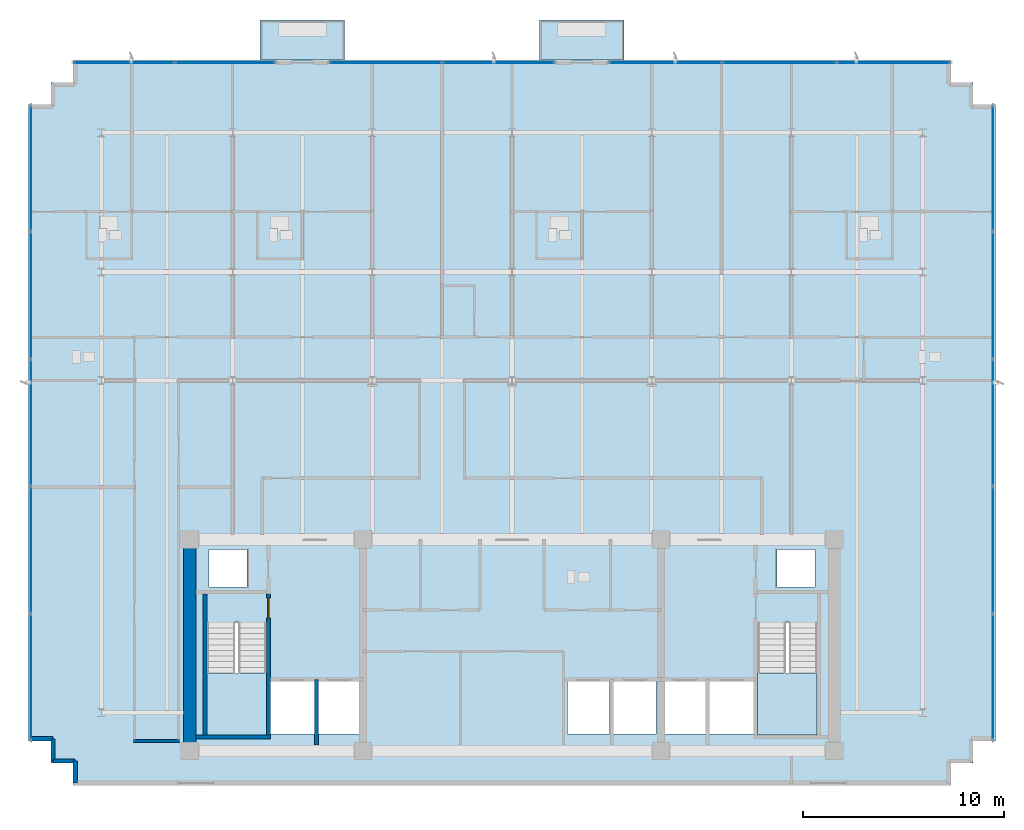
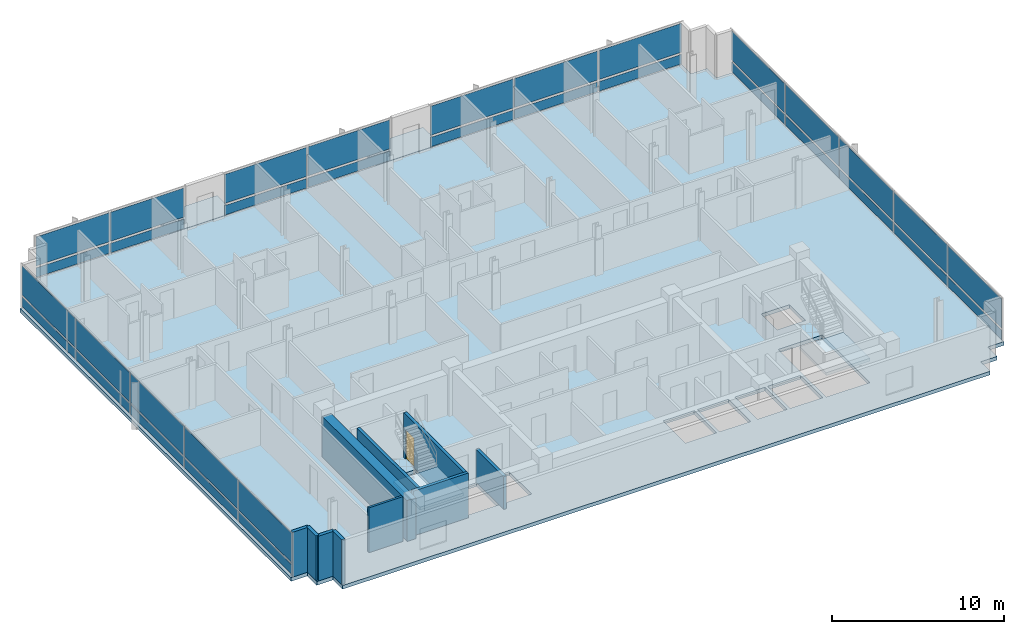
# One storey, part 7 of 15: 34 plates, 10 walls, 5 slabs, 1 door, 1 opening, 7 elements without a shape of their own.
"""IFC4 building model written with IfcOpenShell, lengths in metres."""

from ifc_helpers import new_model, si_unit, direction, frame, frame_2d, origin, origin_2d, place, context, subcontext, project, spatial, polyline, rectangle, outline, extrude, material, layer, layer_set, type_object, element, fill, aggregate, save


model = new_model("IFC4")

# Units and contexts
model_context = context("Model", 3, precision=1e-05, world=origin(), true_north=direction((0.0, 1.0)))
body_context = subcontext(model_context, "Body", "Model", "MODEL_VIEW")
ifc_project = project(units=[si_unit("LENGTHUNIT", "METRE"), si_unit("AREAUNIT", "SQUARE_METRE"), si_unit("VOLUMEUNIT", "CUBIC_METRE"), si_unit("PLANEANGLEUNIT", "RADIAN"), si_unit("MASSUNIT", "GRAM", prefix="KILO")], contexts=[model_context])

# Site, building, storey
site_placement = place(None, origin())
site = spatial("IfcSite", under=ifc_project, at=site_placement, CompositionType="ELEMENT")
building_placement = place(site_placement, origin())
building = spatial("IfcBuilding", under=site, at=building_placement, Name="Solmavex Isthmus Hotel", CompositionType="ELEMENT")
storey_placement = place(building_placement, frame((0.0, 0.0, 259.199951171875)))
storey = spatial("IfcBuildingStorey", under=building, at=storey_placement, Name="L70", CompositionType="ELEMENT", Elevation=259.199951171875)

# Curtain wall, plates
ifc_material_1 = material(Name="Aluminium alloy 6063-T6", Category="aluminium")
curtain_wall_type = type_object("IfcCurtainWallType", Name="CW-SYS-04", PredefinedType="NOTDEFINED", material=ifc_material_1)
curtain_wall_1_placement = place(storey_placement, origin())
curtain_wall_1 = element("IfcCurtainWall", 1, at=curtain_wall_1_placement, inside=storey, type_object=curtain_wall_type, Name="Stick Curtain Wall CWL-L70-N1", PredefinedType="NOTDEFINED")
ifc_material_2 = material(Name="Clear low-E laminated glass", Category="glass")
ifc_layer_1 = layer(ifc_material_2, 0.033935546875)
ifc_layer_set_1 = layer_set([ifc_layer_1], Name="Clear low-E laminated glass")
plate_type = type_object("IfcPlateType", Name="CW-SYS-04-PNL", PredefinedType="CURTAIN_PANEL", material=ifc_layer_set_1)
plate_1_placement = place(storey_placement, frame((-19.25732421875, 21.179931640625, 0.14990234375), z_axis=(0.0, 0.0, 1.0), x_axis=(1.0, 0.0, 0.0)))
plate_1 = element("IfcPlate", 2, at=plate_1_placement, type_object=plate_type, Name="CW-04 panel 1.1", PredefinedType="CURTAIN_PANEL", context=body_context, shape_type="SweptSolid", body=[
    extrude(rectangle(XDim=4.935546875, YDim=0.033935546875, at=origin_2d()), origin(), (0.0, 0.0, 1.0), 0.675048828125),
])
plate_2_placement = place(storey_placement, frame((-19.25732421875, 21.179931640625, 0.97509765625), z_axis=(0.0, 0.0, 1.0), x_axis=(1.0, 0.0, 0.0)))
plate_2 = element("IfcPlate", 3, at=plate_2_placement, type_object=plate_type, Name="CW-04 panel 1.2", PredefinedType="CURTAIN_PANEL", context=body_context, shape_type="SweptSolid", body=[
    extrude(rectangle(XDim=4.935546875, YDim=0.033935546875, at=origin_2d()), origin(), (0.0, 0.0, 1.0), 2.06494140625),
])
plate_3_placement = place(storey_placement, frame((-14.246826171875, 21.179931640625, 0.14990234375), z_axis=(0.0, 0.0, 1.0), x_axis=(1.0, 0.0, 0.0)))
plate_3 = element("IfcPlate", 4, at=plate_3_placement, type_object=plate_type, Name="CW-04 panel 2.1", PredefinedType="CURTAIN_PANEL", context=body_context, shape_type="SweptSolid", body=[
    extrude(rectangle(XDim=4.935546875, YDim=0.033935546875, at=origin_2d()), origin(), (0.0, 0.0, 1.0), 0.675048828125),
])
plate_4_placement = place(storey_placement, frame((-14.246826171875, 21.179931640625, 0.97509765625), z_axis=(0.0, 0.0, 1.0), x_axis=(1.0, 0.0, 0.0)))
plate_4 = element("IfcPlate", 5, at=plate_4_placement, type_object=plate_type, Name="CW-04 panel 2.2", PredefinedType="CURTAIN_PANEL", context=body_context, shape_type="SweptSolid", body=[
    extrude(rectangle(XDim=4.935546875, YDim=0.033935546875, at=origin_2d()), origin(), (0.0, 0.0, 1.0), 2.06494140625),
])
aggregate(curtain_wall_1, [plate_1, plate_2, plate_3, plate_4])

curtain_wall_2_placement = place(storey_placement, origin())
curtain_wall_2 = element("IfcCurtainWall", 6, at=curtain_wall_2_placement, inside=storey, type_object=curtain_wall_type, Name="Stick Curtain Wall CWL-L70-N2", PredefinedType="NOTDEFINED")
plate_5_placement = place(storey_placement, frame((-6.267333984375, 21.179931640625, 0.14990234375), z_axis=(0.0, 0.0, 1.0), x_axis=(1.0, 0.0, 0.0)))
plate_5 = element("IfcPlate", 7, at=plate_5_placement, type_object=plate_type, Name="CW-04 panel 1.1", PredefinedType="CURTAIN_PANEL", context=body_context, shape_type="SweptSolid", body=[
    extrude(rectangle(XDim=5.5234375, YDim=0.033935546875, at=origin_2d()), origin(), (0.0, 0.0, 1.0), 0.675048828125),
])
plate_6_placement = place(storey_placement, frame((-6.267333984375, 21.179931640625, 0.97509765625), z_axis=(0.0, 0.0, 1.0), x_axis=(1.0, 0.0, 0.0)))
plate_6 = element("IfcPlate", 8, at=plate_6_placement, type_object=plate_type, Name="CW-04 panel 1.2", PredefinedType="CURTAIN_PANEL", context=body_context, shape_type="SweptSolid", body=[
    extrude(rectangle(XDim=5.5234375, YDim=0.033935546875, at=origin_2d()), origin(), (0.0, 0.0, 1.0), 2.06494140625),
])
plate_7_placement = place(storey_placement, frame((-0.668701171875, 21.179931640625, 0.14990234375), z_axis=(0.0, 0.0, 1.0), x_axis=(1.0, 0.0, 0.0)))
plate_7 = element("IfcPlate", 9, at=plate_7_placement, type_object=plate_type, Name="CW-04 panel 2.1", PredefinedType="CURTAIN_PANEL", context=body_context, shape_type="SweptSolid", body=[
    extrude(rectangle(XDim=5.5234375, YDim=0.033935546875, at=origin_2d()), origin(), (0.0, 0.0, 1.0), 0.675048828125),
])
plate_8_placement = place(storey_placement, frame((-0.668701171875, 21.179931640625, 0.97509765625), z_axis=(0.0, 0.0, 1.0), x_axis=(1.0, 0.0, 0.0)))
plate_8 = element("IfcPlate", 10, at=plate_8_placement, type_object=plate_type, Name="CW-04 panel 2.2", PredefinedType="CURTAIN_PANEL", context=body_context, shape_type="SweptSolid", body=[
    extrude(rectangle(XDim=5.5234375, YDim=0.033935546875, at=origin_2d()), origin(), (0.0, 0.0, 1.0), 2.06494140625),
])
aggregate(curtain_wall_2, [plate_5, plate_6, plate_7, plate_8])

curtain_wall_3_placement = place(storey_placement, origin())
curtain_wall_3 = element("IfcCurtainWall", 11, at=curtain_wall_3_placement, inside=storey, type_object=curtain_wall_type, Name="Stick Curtain Wall CWL-L70-N3", PredefinedType="NOTDEFINED")
plate_9_placement = place(storey_placement, frame((7.62548828125, 21.179931640625, 0.14990234375), z_axis=(0.0, 0.0, 1.0), x_axis=(1.0, 0.0, 0.0)))
plate_9 = element("IfcPlate", 12, at=plate_9_placement, type_object=plate_type, Name="CW-04 panel 1.1", PredefinedType="CURTAIN_PANEL", context=body_context, shape_type="SweptSolid", body=[
    extrude(rectangle(XDim=5.56494140625, YDim=0.033935546875, at=origin_2d()), origin(), (0.0, 0.0, 1.0), 0.675048828125),
])
plate_10_placement = place(storey_placement, frame((7.62548828125, 21.179931640625, 0.97509765625), z_axis=(0.0, 0.0, 1.0), x_axis=(1.0, 0.0, 0.0)))
plate_10 = element("IfcPlate", 13, at=plate_10_placement, type_object=plate_type, Name="CW-04 panel 1.2", PredefinedType="CURTAIN_PANEL", context=body_context, shape_type="SweptSolid", body=[
    extrude(rectangle(XDim=5.56494140625, YDim=0.033935546875, at=origin_2d()), origin(), (0.0, 0.0, 1.0), 2.06494140625),
])
plate_11_placement = place(storey_placement, frame((13.283935546875, 21.179931640625, 0.14990234375), z_axis=(0.0, 0.0, 1.0), x_axis=(1.0, 0.0, 0.0)))
plate_11 = element("IfcPlate", 14, at=plate_11_placement, type_object=plate_type, Name="CW-04 panel 2.1", PredefinedType="CURTAIN_PANEL", context=body_context, shape_type="SweptSolid", body=[
    extrude(rectangle(XDim=5.602294921875, YDim=0.033935546875, at=origin_2d()), origin(), (0.0, 0.0, 1.0), 0.675048828125),
])
plate_12_placement = place(storey_placement, frame((13.283935546875, 21.179931640625, 0.97509765625), z_axis=(0.0, 0.0, 1.0), x_axis=(1.0, 0.0, 0.0)))
plate_12 = element("IfcPlate", 15, at=plate_12_placement, type_object=plate_type, Name="CW-04 panel 2.2", PredefinedType="CURTAIN_PANEL", context=body_context, shape_type="SweptSolid", body=[
    extrude(rectangle(XDim=5.602294921875, YDim=0.033935546875, at=origin_2d()), origin(), (0.0, 0.0, 1.0), 2.06494140625),
])
plate_13_placement = place(storey_placement, frame((18.942626953125, 21.179931640625, 0.14990234375), z_axis=(0.0, 0.0, 1.0), x_axis=(1.0, 0.0, 0.0)))
plate_13 = element("IfcPlate", 16, at=plate_13_placement, type_object=plate_type, Name="CW-04 panel 3.1", PredefinedType="CURTAIN_PANEL", context=body_context, shape_type="SweptSolid", body=[
    extrude(rectangle(XDim=5.56494140625, YDim=0.033935546875, at=origin_2d()), origin(), (0.0, 0.0, 1.0), 0.675048828125),
])
plate_14_placement = place(storey_placement, frame((18.942626953125, 21.179931640625, 0.97509765625), z_axis=(0.0, 0.0, 1.0), x_axis=(1.0, 0.0, 0.0)))
plate_14 = element("IfcPlate", 17, at=plate_14_placement, type_object=plate_type, Name="CW-04 panel 3.2", PredefinedType="CURTAIN_PANEL", context=body_context, shape_type="SweptSolid", body=[
    extrude(rectangle(XDim=5.56494140625, YDim=0.033935546875, at=origin_2d()), origin(), (0.0, 0.0, 1.0), 2.06494140625),
])
aggregate(curtain_wall_3, [plate_9, plate_10, plate_11, plate_12, plate_13, plate_14])

curtain_wall_4_placement = place(storey_placement, origin())
curtain_wall_4 = element("IfcCurtainWall", 18, at=curtain_wall_4_placement, inside=storey, type_object=curtain_wall_type, Name="Stick Curtain Wall CWL-L70-W1", PredefinedType="NOTDEFINED")
plate_15_placement = place(storey_placement, frame((-23.8798828125, -9.3212890625, 0.14990234375), z_axis=(0.0, 0.0, 1.0), x_axis=(0.0, 1.0, 0.0)))
plate_15 = element("IfcPlate", 19, at=plate_15_placement, type_object=plate_type, Name="CW-04 panel 1.1", PredefinedType="CURTAIN_PANEL", context=body_context, shape_type="SweptSolid", body=[
    extrude(rectangle(XDim=6.20751953125, YDim=0.033935546875, at=origin_2d()), origin(), (0.0, 0.0, 1.0), 0.675048828125),
])
plate_16_placement = place(storey_placement, frame((-23.8798828125, -9.3212890625, 0.97509765625), z_axis=(0.0, 0.0, 1.0), x_axis=(0.0, 1.0, 0.0)))
plate_16 = element("IfcPlate", 20, at=plate_16_placement, type_object=plate_type, Name="CW-04 panel 1.2", PredefinedType="CURTAIN_PANEL", context=body_context, shape_type="SweptSolid", body=[
    extrude(rectangle(XDim=6.20751953125, YDim=0.033935546875, at=origin_2d()), origin(), (0.0, 0.0, 1.0), 2.06494140625),
])
plate_17_placement = place(storey_placement, frame((-23.8798828125, -3.02001953125, 0.14990234375), z_axis=(0.0, 0.0, 1.0), x_axis=(0.0, 1.0, 0.0)))
plate_17 = element("IfcPlate", 21, at=plate_17_placement, type_object=plate_type, Name="CW-04 panel 2.1", PredefinedType="CURTAIN_PANEL", context=body_context, shape_type="SweptSolid", body=[
    extrude(rectangle(XDim=6.2451171875, YDim=0.033935546875, at=origin_2d()), origin(), (0.0, 0.0, 1.0), 0.675048828125),
])
plate_18_placement = place(storey_placement, frame((-23.8798828125, -3.02001953125, 0.97509765625), z_axis=(0.0, 0.0, 1.0), x_axis=(0.0, 1.0, 0.0)))
plate_18 = element("IfcPlate", 22, at=plate_18_placement, type_object=plate_type, Name="CW-04 panel 2.2", PredefinedType="CURTAIN_PANEL", context=body_context, shape_type="SweptSolid", body=[
    extrude(rectangle(XDim=6.2451171875, YDim=0.033935546875, at=origin_2d()), origin(), (0.0, 0.0, 1.0), 2.06494140625),
])
plate_19_placement = place(storey_placement, frame((-23.8798828125, 3.300048828125, 0.14990234375), z_axis=(0.0, 0.0, 1.0), x_axis=(0.0, 1.0, 0.0)))
plate_19 = element("IfcPlate", 23, at=plate_19_placement, type_object=plate_type, Name="CW-04 panel 3.1", PredefinedType="CURTAIN_PANEL", context=body_context, shape_type="SweptSolid", body=[
    extrude(rectangle(XDim=6.2451171875, YDim=0.033935546875, at=origin_2d()), origin(), (0.0, 0.0, 1.0), 0.675048828125),
])
plate_20_placement = place(storey_placement, frame((-23.8798828125, 3.300048828125, 0.97509765625), z_axis=(0.0, 0.0, 1.0), x_axis=(0.0, 1.0, 0.0)))
plate_20 = element("IfcPlate", 24, at=plate_20_placement, type_object=plate_type, Name="CW-04 panel 3.2", PredefinedType="CURTAIN_PANEL", context=body_context, shape_type="SweptSolid", body=[
    extrude(rectangle(XDim=6.2451171875, YDim=0.033935546875, at=origin_2d()), origin(), (0.0, 0.0, 1.0), 2.06494140625),
])
plate_21_placement = place(storey_placement, frame((-23.8798828125, 9.6201171875, 0.14990234375), z_axis=(0.0, 0.0, 1.0), x_axis=(0.0, 1.0, 0.0)))
plate_21 = element("IfcPlate", 25, at=plate_21_placement, type_object=plate_type, Name="CW-04 panel 4.1", PredefinedType="CURTAIN_PANEL", context=body_context, shape_type="SweptSolid", body=[
    extrude(rectangle(XDim=6.2451171875, YDim=0.033935546875, at=origin_2d()), origin(), (0.0, 0.0, 1.0), 0.675048828125),
])
plate_22_placement = place(storey_placement, frame((-23.8798828125, 9.6201171875, 0.97509765625), z_axis=(0.0, 0.0, 1.0), x_axis=(0.0, 1.0, 0.0)))
plate_22 = element("IfcPlate", 26, at=plate_22_placement, type_object=plate_type, Name="CW-04 panel 4.2", PredefinedType="CURTAIN_PANEL", context=body_context, shape_type="SweptSolid", body=[
    extrude(rectangle(XDim=6.2451171875, YDim=0.033935546875, at=origin_2d()), origin(), (0.0, 0.0, 1.0), 2.06494140625),
])
plate_23_placement = place(storey_placement, frame((-23.8798828125, 15.921142578125, 0.14990234375), z_axis=(0.0, 0.0, 1.0), x_axis=(0.0, 1.0, 0.0)))
plate_23 = element("IfcPlate", 27, at=plate_23_placement, type_object=plate_type, Name="CW-04 panel 5.1", PredefinedType="CURTAIN_PANEL", context=body_context, shape_type="SweptSolid", body=[
    extrude(rectangle(XDim=6.20751953125, YDim=0.033935546875, at=origin_2d()), origin(), (0.0, 0.0, 1.0), 0.675048828125),
])
plate_24_placement = place(storey_placement, frame((-23.8798828125, 15.921142578125, 0.97509765625), z_axis=(0.0, 0.0, 1.0), x_axis=(0.0, 1.0, 0.0)))
plate_24 = element("IfcPlate", 28, at=plate_24_placement, type_object=plate_type, Name="CW-04 panel 5.2", PredefinedType="CURTAIN_PANEL", context=body_context, shape_type="SweptSolid", body=[
    extrude(rectangle(XDim=6.20751953125, YDim=0.033935546875, at=origin_2d()), origin(), (0.0, 0.0, 1.0), 2.06494140625),
])
aggregate(curtain_wall_4, [plate_15, plate_16, plate_17, plate_18, plate_19, plate_20, plate_21, plate_22, plate_23, plate_24])

curtain_wall_5_placement = place(storey_placement, origin())
curtain_wall_5 = element("IfcCurtainWall", 29, at=curtain_wall_5_placement, inside=storey, type_object=curtain_wall_type, Name="Stick Curtain Wall CWL-L70-E1", PredefinedType="NOTDEFINED")
plate_25_placement = place(storey_placement, frame((23.8798828125, -9.3212890625, 0.14990234375), z_axis=(0.0, 0.0, 1.0), x_axis=(0.0, 1.0, 0.0)))
plate_25 = element("IfcPlate", 30, at=plate_25_placement, type_object=plate_type, Name="CW-04 panel 1.1", PredefinedType="CURTAIN_PANEL", context=body_context, shape_type="SweptSolid", body=[
    extrude(rectangle(XDim=6.20751953125, YDim=0.033935546875, at=origin_2d()), origin(), (0.0, 0.0, 1.0), 0.675048828125),
])
plate_26_placement = place(storey_placement, frame((23.8798828125, -9.3212890625, 0.97509765625), z_axis=(0.0, 0.0, 1.0), x_axis=(0.0, 1.0, 0.0)))
plate_26 = element("IfcPlate", 31, at=plate_26_placement, type_object=plate_type, Name="CW-04 panel 1.2", PredefinedType="CURTAIN_PANEL", context=body_context, shape_type="SweptSolid", body=[
    extrude(rectangle(XDim=6.20751953125, YDim=0.033935546875, at=origin_2d()), origin(), (0.0, 0.0, 1.0), 2.06494140625),
])
plate_27_placement = place(storey_placement, frame((23.8798828125, -3.02001953125, 0.14990234375), z_axis=(0.0, 0.0, 1.0), x_axis=(0.0, 1.0, 0.0)))
plate_27 = element("IfcPlate", 32, at=plate_27_placement, type_object=plate_type, Name="CW-04 panel 2.1", PredefinedType="CURTAIN_PANEL", context=body_context, shape_type="SweptSolid", body=[
    extrude(rectangle(XDim=6.2451171875, YDim=0.033935546875, at=origin_2d()), origin(), (0.0, 0.0, 1.0), 0.675048828125),
])
plate_28_placement = place(storey_placement, frame((23.8798828125, -3.02001953125, 0.97509765625), z_axis=(0.0, 0.0, 1.0), x_axis=(0.0, 1.0, 0.0)))
plate_28 = element("IfcPlate", 33, at=plate_28_placement, type_object=plate_type, Name="CW-04 panel 2.2", PredefinedType="CURTAIN_PANEL", context=body_context, shape_type="SweptSolid", body=[
    extrude(rectangle(XDim=6.2451171875, YDim=0.033935546875, at=origin_2d()), origin(), (0.0, 0.0, 1.0), 2.06494140625),
])
plate_29_placement = place(storey_placement, frame((23.8798828125, 3.300048828125, 0.14990234375), z_axis=(0.0, 0.0, 1.0), x_axis=(0.0, 1.0, 0.0)))
plate_29 = element("IfcPlate", 34, at=plate_29_placement, type_object=plate_type, Name="CW-04 panel 3.1", PredefinedType="CURTAIN_PANEL", context=body_context, shape_type="SweptSolid", body=[
    extrude(rectangle(XDim=6.2451171875, YDim=0.033935546875, at=origin_2d()), origin(), (0.0, 0.0, 1.0), 0.675048828125),
])
plate_30_placement = place(storey_placement, frame((23.8798828125, 3.300048828125, 0.97509765625), z_axis=(0.0, 0.0, 1.0), x_axis=(0.0, 1.0, 0.0)))
plate_30 = element("IfcPlate", 35, at=plate_30_placement, type_object=plate_type, Name="CW-04 panel 3.2", PredefinedType="CURTAIN_PANEL", context=body_context, shape_type="SweptSolid", body=[
    extrude(rectangle(XDim=6.2451171875, YDim=0.033935546875, at=origin_2d()), origin(), (0.0, 0.0, 1.0), 2.06494140625),
])
plate_31_placement = place(storey_placement, frame((23.8798828125, 9.6201171875, 0.14990234375), z_axis=(0.0, 0.0, 1.0), x_axis=(0.0, 1.0, 0.0)))
plate_31 = element("IfcPlate", 36, at=plate_31_placement, type_object=plate_type, Name="CW-04 panel 4.1", PredefinedType="CURTAIN_PANEL", context=body_context, shape_type="SweptSolid", body=[
    extrude(rectangle(XDim=6.2451171875, YDim=0.033935546875, at=origin_2d()), origin(), (0.0, 0.0, 1.0), 0.675048828125),
])
plate_32_placement = place(storey_placement, frame((23.8798828125, 9.6201171875, 0.97509765625), z_axis=(0.0, 0.0, 1.0), x_axis=(0.0, 1.0, 0.0)))
plate_32 = element("IfcPlate", 37, at=plate_32_placement, type_object=plate_type, Name="CW-04 panel 4.2", PredefinedType="CURTAIN_PANEL", context=body_context, shape_type="SweptSolid", body=[
    extrude(rectangle(XDim=6.2451171875, YDim=0.033935546875, at=origin_2d()), origin(), (0.0, 0.0, 1.0), 2.06494140625),
])
plate_33_placement = place(storey_placement, frame((23.8798828125, 15.921142578125, 0.14990234375), z_axis=(0.0, 0.0, 1.0), x_axis=(0.0, 1.0, 0.0)))
plate_33 = element("IfcPlate", 38, at=plate_33_placement, type_object=plate_type, Name="CW-04 panel 5.1", PredefinedType="CURTAIN_PANEL", context=body_context, shape_type="SweptSolid", body=[
    extrude(rectangle(XDim=6.20751953125, YDim=0.033935546875, at=origin_2d()), origin(), (0.0, 0.0, 1.0), 0.675048828125),
])
plate_34_placement = place(storey_placement, frame((23.8798828125, 15.921142578125, 0.97509765625), z_axis=(0.0, 0.0, 1.0), x_axis=(0.0, 1.0, 0.0)))
plate_34 = element("IfcPlate", 39, at=plate_34_placement, type_object=plate_type, Name="CW-04 panel 5.2", PredefinedType="CURTAIN_PANEL", context=body_context, shape_type="SweptSolid", body=[
    extrude(rectangle(XDim=6.20751953125, YDim=0.033935546875, at=origin_2d()), origin(), (0.0, 0.0, 1.0), 2.06494140625),
])
aggregate(curtain_wall_5, [plate_25, plate_26, plate_27, plate_28, plate_29, plate_30, plate_31, plate_32, plate_33, plate_34])

# Slabs
ifc_material_3 = material(Name="Concrete C40/50", Category="concrete")
ifc_layer_2 = layer(ifc_material_3, 0.239990234375)
ifc_layer_set_2 = layer_set([ifc_layer_2], Name="Concrete C40/50")
slab_type_1 = type_object("IfcSlabType", Name="SLAB-BALC-240", PredefinedType="FLOOR", material=ifc_layer_set_2)
slab_1_placement = place(storey_placement, frame((0.0, 0.0, -0.239990234375)))
element("IfcSlab", 40, at=slab_1_placement, inside=storey, type_object=slab_type_1, Name="Tree-Planter Balcony Slab L70-B1", PredefinedType="FLOOR", context=body_context, shape_type="SweptSolid", body=[
    extrude(outline(polyline([(-12.50390625, 21.31494140625), (-8.303955078125, 21.31494140625), (-8.303955078125, 23.300048828125), (-12.50390625, 23.300048828125), (-12.50390625, 21.31494140625)])), origin(), (0.0, 0.0, 1.0), 0.239990234375),
])
slab_2_placement = place(storey_placement, frame((0.0, 0.0, -0.239990234375)))
element("IfcSlab", 41, at=slab_2_placement, inside=storey, type_object=slab_type_1, Name="Tree-Planter Balcony Slab L70-B2", PredefinedType="FLOOR", context=body_context, shape_type="SweptSolid", body=[
    extrude(outline(polyline([(1.367919921875, 21.31494140625), (5.568115234375, 21.31494140625), (5.568115234375, 23.300048828125), (1.367919921875, 23.300048828125), (1.367919921875, 21.31494140625)])), origin(), (0.0, 0.0, 1.0), 0.239990234375),
])
ifc_layer_3 = layer(ifc_material_3, 0.260009765625)
ifc_layer_set_3 = layer_set([ifc_layer_3], Name="Concrete C40/50")
slab_type_2 = type_object("IfcSlabType", Name="SLAB-TYP-260", PredefinedType="FLOOR", material=ifc_layer_set_3)
slab_3_placement = place(storey_placement, frame((0.0, 0.0, -0.260009765625)))
element("IfcSlab", 42, at=slab_3_placement, inside=storey, type_object=slab_type_2, Name="Tower Structural Floor Slab L70", PredefinedType="FLOOR", context=body_context, shape_type="SweptSolid", body=[
    extrude(outline(polyline([(-20.699951171875, -14.699951171875), (20.699951171875, -14.699951171875), (21.800048828125, -14.699951171875), (21.800048828125, -13.60009765625), (22.89990234375, -13.60009765625), (22.89990234375, -12.5), (24.0, -12.5), (24.0, -11.39990234375), (24.0, 18.0), (24.0, 19.10009765625), (22.89990234375, 19.10009765625), (22.89990234375, 20.199951171875), (21.800048828125, 20.199951171875), (21.800048828125, 21.300048828125), (20.699951171875, 21.300048828125), (-20.699951171875, 21.300048828125), (-21.800048828125, 21.300048828125), (-21.800048828125, 20.199951171875), (-22.89990234375, 20.199951171875), (-22.89990234375, 19.10009765625), (-24.0, 19.10009765625), (-24.0, 18.0), (-24.0, -11.39990234375), (-24.0, -12.5), (-22.89990234375, -12.5), (-22.89990234375, -13.60009765625), (-21.800048828125, -13.60009765625), (-21.800048828125, -14.699951171875), (-20.699951171875, -14.699951171875)]), holes=[polyline([(-15.14990234375, -6.617919921875), (-15.14990234375, -12.199951171875), (-12.199951171875, -12.199951171875), (-12.199951171875, -6.617919921875), (-15.14990234375, -6.617919921875)]), polyline([(12.199951171875, -6.617919921875), (12.199951171875, -12.199951171875), (15.14990234375, -12.199951171875), (15.14990234375, -6.617919921875), (12.199951171875, -6.617919921875)]), polyline([(-12.0, -12.14990234375), (-9.800048828125, -12.14990234375), (-9.800048828125, -9.550048828125), (-12.0, -9.550048828125), (-12.0, -12.14990234375)]), polyline([(9.800048828125, -12.14990234375), (12.0, -12.14990234375), (12.0, -9.550048828125), (9.800048828125, -9.550048828125), (9.800048828125, -12.14990234375)]), polyline([(-9.60009765625, -12.14990234375), (-7.60009765625, -12.14990234375), (-7.60009765625, -9.550048828125), (-9.60009765625, -9.550048828125), (-9.60009765625, -12.14990234375)]), polyline([(7.60009765625, -12.14990234375), (9.60009765625, -12.14990234375), (9.60009765625, -9.550048828125), (7.60009765625, -9.550048828125), (7.60009765625, -12.14990234375)]), polyline([(2.75, -12.14990234375), (4.85009765625, -12.14990234375), (4.85009765625, -9.550048828125), (2.75, -9.550048828125), (2.75, -12.14990234375)]), polyline([(5.050048828125, -12.14990234375), (7.14990234375, -12.14990234375), (7.14990234375, -9.550048828125), (5.050048828125, -9.550048828125), (5.050048828125, -12.14990234375)]), polyline([(-15.050048828125, -4.85009765625), (-13.14990234375, -4.85009765625), (-13.14990234375, -3.0), (-15.050048828125, -3.0), (-15.050048828125, -4.85009765625)]), polyline([(13.14990234375, -4.85009765625), (15.050048828125, -4.85009765625), (15.050048828125, -3.0), (13.14990234375, -3.0), (13.14990234375, -4.85009765625)])]), origin(), (0.0, 0.0, 1.0), 0.260009765625),
])

# Stair, slab
stair_type_1 = type_object("IfcStairType", Name="STR-ST-1", PredefinedType="HALF_TURN_STAIR", material=ifc_material_3)
stair_1_placement = place(storey_placement, origin())
stair_1 = element("IfcStair", 43, at=stair_1_placement, inside=storey, type_object=stair_type_1, Name="L70 Protected Exit Stair ST-1", PredefinedType="HALF_TURN_STAIR")
ifc_layer_4 = layer(ifc_material_3, 0.219970703125)
ifc_layer_set_4 = layer_set([ifc_layer_4], Name="Concrete C40/50")
slab_type_3 = type_object("IfcSlabType", Name="SLD-ST-1", PredefinedType="LANDING", material=ifc_layer_set_4)
slab_4_placement = place(storey_placement, frame((0.0, 0.0, 1.525146484375)))
slab_4 = element("IfcSlab", 44, at=slab_4_placement, type_object=slab_type_3, Name="ST-1 landing 1", PredefinedType="LANDING", context=body_context, shape_type="SweptSolid", body=[
    extrude(outline(polyline([(-15.14990234375, -9.1201171875), (-15.14990234375, -12.199951171875), (-12.199951171875, -12.199951171875), (-12.199951171875, -9.1201171875), (-15.14990234375, -9.1201171875)])), origin(), (0.0, 0.0, 1.0), 0.199951171875),
])
aggregate(stair_1, [slab_4])

stair_type_2 = type_object("IfcStairType", Name="STR-ST-2", PredefinedType="HALF_TURN_STAIR", material=ifc_material_3)
stair_2_placement = place(storey_placement, origin())
stair_2 = element("IfcStair", 45, at=stair_2_placement, inside=storey, type_object=stair_type_2, Name="L70 Protected Exit Stair ST-2", PredefinedType="HALF_TURN_STAIR")
ifc_layer_5 = layer(ifc_material_3, 0.219970703125)
ifc_layer_set_5 = layer_set([ifc_layer_5], Name="Concrete C40/50")
slab_type_4 = type_object("IfcSlabType", Name="SLD-ST-2", PredefinedType="LANDING", material=ifc_layer_set_5)
slab_5_placement = place(storey_placement, frame((0.0, 0.0, 1.525146484375)))
slab_5 = element("IfcSlab", 46, at=slab_5_placement, type_object=slab_type_4, Name="ST-2 landing 1", PredefinedType="LANDING", context=body_context, shape_type="SweptSolid", body=[
    extrude(outline(polyline([(12.199951171875, -9.1201171875), (12.199951171875, -12.199951171875), (15.14990234375, -12.199951171875), (15.14990234375, -9.1201171875), (12.199951171875, -9.1201171875)])), origin(), (0.0, 0.0, 1.0), 0.199951171875),
])
aggregate(stair_2, [slab_5])

# Walls
ifc_material_4 = material(Name="Precast Concrete C40/50", Category="concrete")
ifc_layer_6 = layer(ifc_material_4, 0.25)
ifc_layer_set_6 = layer_set([ifc_layer_6], Name="Precast Concrete C40/50")
wall_type_1 = type_object("IfcWallType", Name="EW-TWR-250", PredefinedType="STANDARD", material=ifc_layer_set_6)
for number, where, z_axis, x_axis, name in (
    (47, (-21.68994140625, -14.590087890625, 0.0), (0.0, 0.0, 1.0), (0.0, 1.0, 0.0), "Serrated Corner Facade Panel L70-01"),
    (48, (-21.68994140625, -13.489990234375, 0.0), (0.0, 0.0, 1.0), (-1.0, 0.0, 0.0), "Serrated Corner Facade Panel L70-02"),
    (49, (-22.7900390625, -13.489990234375, 0.0), (0.0, 0.0, 1.0), (0.0, 1.0, 0.0), "Serrated Corner Facade Panel L70-03"),
):
    element("IfcWall", number, at=place(storey_placement, frame(where, z_axis=z_axis, x_axis=x_axis)), inside=storey, type_object=wall_type_1, Name=name, PredefinedType="STANDARD", context=body_context, shape_type="SweptSolid", body=[
        extrude(rectangle(XDim=1.10009765625, YDim=0.219970703125, at=frame_2d((0.550048828125, 0.0))), origin(), (0.0, 0.0, 1.0), 3.18994140625),
    ])
wall_1_placement = place(storey_placement, frame((-22.7900390625, -12.389892578125, 0.0), z_axis=(0.0, 0.0, 1.0), x_axis=(-1.0, 0.0, 0.0)))
element("IfcWall", 50, at=wall_1_placement, inside=storey, type_object=wall_type_1, Name="Serrated Corner Facade Panel L70-04", PredefinedType="STANDARD", context=body_context, shape_type="SweptSolid", body=[
    extrude(rectangle(XDim=1.099853515625, YDim=0.219970703125, at=frame_2d((0.5498046875, 0.0))), origin(), (0.0, 0.0, 1.0), 3.18994140625),
])
ifc_material_5 = material(Name="Gypsum plasterboard lining", Category="gypsum")
ifc_layer_7 = layer(ifc_material_5, 0.14990234375)
ifc_layer_set_7 = layer_set([ifc_layer_7], Name="Gypsum plasterboard lining")
wall_type_2 = type_object("IfcWallType", Name="IW-CORR-150", PredefinedType="PARTITIONING", material=ifc_layer_set_7)
wall_2_placement = place(storey_placement, frame((-16.510009765625, -12.5, 0.0), z_axis=(0.0, 0.0, 1.0), x_axis=(-1.0, 0.0, 0.0)))
element("IfcWall", 51, at=wall_2_placement, inside=storey, type_object=wall_type_2, Name="Interior Partition Wall W-L70-P030", PredefinedType="PARTITIONING", context=body_context, shape_type="SweptSolid", body=[
    extrude(rectangle(XDim=2.280029296875, YDim=0.14990234375, at=frame_2d((1.14013671875, 0.0))), origin(), (0.0, 0.0, 1.0), 3.18994140625),
])
ifc_layer_8 = layer(ifc_material_3, 0.199951171875)
ifc_layer_set_8 = layer_set([ifc_layer_8], Name="Concrete C40/50")
wall_type_3 = type_object("IfcWallType", Name="IW-SHAFT-200", PredefinedType="PARTITIONING", material=ifc_layer_set_8)
wall_3_placement = place(storey_placement, frame((-9.699951171875, -12.699951171875, 0.0), z_axis=(0.0, 0.0, 1.0), x_axis=(0.0, 1.0, 0.0)))
element("IfcWall", 52, at=wall_3_placement, inside=storey, type_object=wall_type_3, Name="Interior Partition Wall W-L70-FFLW-M", PredefinedType="PARTITIONING", context=body_context, shape_type="SweptSolid", body=[
    extrude(rectangle(XDim=3.25, YDim=0.199951171875, at=frame_2d((1.625, 0.0))), origin(), (0.0, 0.0, 1.0), 2.324951171875),
])
ifc_material_6 = material(Name="Concrete C50/60", Category="concrete")
ifc_layer_9 = layer(ifc_material_6, 0.60009765625)
ifc_layer_set_9 = layer_set([ifc_layer_9], Name="Concrete C50/60")
wall_type_4 = type_object("IfcWallType", Name="WALL-CW-600", PredefinedType="SHEAR", material=ifc_layer_set_9)
wall_4_placement = place(storey_placement, frame((-16.0, -12.699951171875, 0.0), z_axis=(0.0, 0.0, 1.0), x_axis=(0.0, 1.0, 0.0)))
element("IfcWall", 53, at=wall_4_placement, inside=storey, type_object=wall_type_4, Name="Core Shear Wall West L70", PredefinedType="SHEAR", context=body_context, shape_type="SweptSolid", body=[
    extrude(rectangle(XDim=9.89990234375, YDim=0.60009765625, at=frame_2d((4.949951171875, 0.0))), origin(), (0.0, 0.0, 1.0), 2.91015625),
])
ifc_layer_10 = layer(ifc_material_3, 0.199951171875)
ifc_layer_set_10 = layer_set([ifc_layer_10], Name="Concrete C40/50")
wall_type_5 = type_object("IfcWallType", Name="WALL-SW-200", PredefinedType="SOLIDWALL", material=ifc_layer_set_10)
wall_5_placement = place(storey_placement, frame((-15.699951171875, -12.300048828125, 0.0), z_axis=(0.0, 0.0, 1.0), x_axis=(1.0, 0.0, 0.0)))
element("IfcWall", 54, at=wall_5_placement, inside=storey, type_object=wall_type_5, Name="Stairwell Structural Wall SW-L70-ST1-S", PredefinedType="SOLIDWALL", context=body_context, shape_type="SweptSolid", body=[
    extrude(rectangle(XDim=3.699951171875, YDim=0.199951171875, at=frame_2d((1.85009765625, 0.0))), origin(), (0.0, 0.0, 1.0), 3.18994140625),
])
wall_6_placement = place(storey_placement, frame((-15.25, -12.199951171875, 0.0), z_axis=(0.0, 0.0, 1.0), x_axis=(0.0, 1.0, 0.0)))
element("IfcWall", 55, at=wall_6_placement, inside=storey, type_object=wall_type_5, Name="Stairwell Structural Wall SW-L70-ST1-W", PredefinedType="SOLIDWALL", context=body_context, shape_type="SweptSolid", body=[
    extrude(rectangle(XDim=7.0, YDim=0.199951171875, at=frame_2d((3.5, 0.0))), origin(), (0.0, 0.0, 1.0), 3.18994140625),
])

# Wall, opening, door
wall_7_placement = place(storey_placement, frame((-12.10009765625, -12.199951171875, 0.0), z_axis=(0.0, 0.0, 1.0), x_axis=(0.0, 1.0, 0.0)))
wall_7 = element("IfcWall", 56, at=wall_7_placement, inside=storey, type_object=wall_type_5, Name="Stairwell Structural Wall SW-L70-ST1-E", PredefinedType="SOLIDWALL", context=body_context, shape_type="SweptSolid", body=[
    extrude(rectangle(XDim=7.0, YDim=0.199951171875, at=frame_2d((3.5, 0.0))), origin(), (0.0, 0.0, 1.0), 3.18994140625),
])
opening_placement = place(wall_7_placement, frame((5.800048828125, 0.0, 0.0)))
opening = element("IfcOpeningElement", 57, at=opening_placement, cuts=wall_7, Name="Opening ID-F100", PredefinedType="OPENING", context=body_context, shape_type="SweptSolid", body=[
    extrude(rectangle(XDim=1.0, YDim=2.10009765625, at=frame_2d((0.5, 1.050048828125))), frame((0.0, 0.10986328125, 0.0), z_axis=(0.0, -1.0, 0.0), x_axis=(1.0, 0.0, 0.0)), (0.0, 0.0, 1.0), 0.219970703125),
])
ifc_material_7 = material(Name="Steel ASTM A500 Grade C", Category="steel")
door_type = type_object("IfcDoorType", Name="IDR-FD90-1000", OperationType="NOTDEFINED", PredefinedType="DOOR", material=ifc_material_7)
door_placement = place(opening_placement, frame((1.0, 0.0, 0.0), z_axis=(0.0, 0.0, 1.0), x_axis=(-1.0, 0.0, 0.0)))
door = element("IfcDoor", 58, at=door_placement, inside=storey, type_object=door_type, Name="Stair ST-1 Fire Door L70", OperationType="SINGLE_SWING_LEFT", OverallHeight=2.10009765625, OverallWidth=1.0, PredefinedType="DOOR", context=body_context, shape_type="SweptSolid", body=[
    extrude(rectangle(XDim=1.0, YDim=2.10009765625, at=frame_2d((0.5, 1.050048828125))), frame((0.0, 0.02490234375, 0.0), z_axis=(0.0, -1.0, 0.0), x_axis=(1.0, 0.0, 0.0)), (0.0, 0.0, 1.0), 0.050048828125),
])
fill(opening, door)

save(model, "model.ifc")
